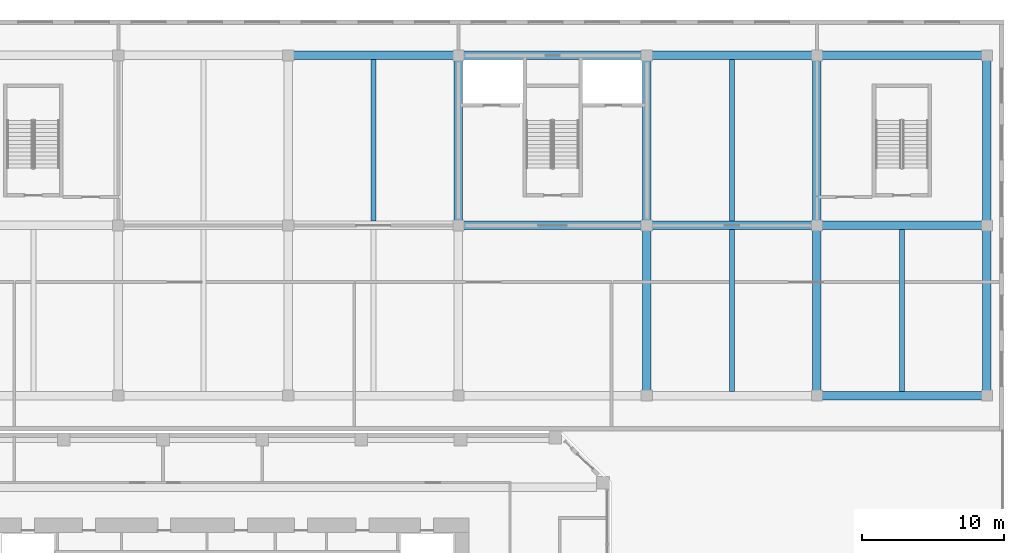
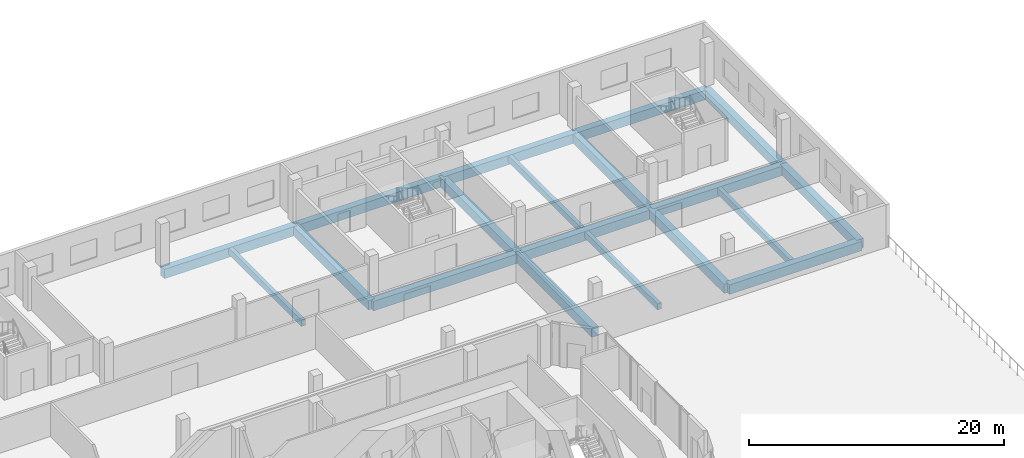
# One storey, part 10 of 38: 19 beams.
"""IFC4 building model written with IfcOpenShell, lengths in metres."""

from ifc_helpers import new_model, si_unit, direction, frame, origin, origin_2d, place, context, subcontext, project, spatial, rectangle, extrude, material, material_profile, profile_set, type_object, element, save


model = new_model("IFC4")

# Units and contexts
model_context = context("Model", 3, precision=1e-05, world=origin(), true_north=direction((0.0, 1.0)))
body_context = subcontext(model_context, "Body", "Model", "MODEL_VIEW")
ifc_project = project(units=[si_unit("LENGTHUNIT", "METRE"), si_unit("AREAUNIT", "SQUARE_METRE"), si_unit("VOLUMEUNIT", "CUBIC_METRE"), si_unit("PLANEANGLEUNIT", "RADIAN"), si_unit("MASSUNIT", "GRAM", prefix="KILO")], contexts=[model_context])

# Site, building, storey
site_placement = place(None, origin())
site = spatial("IfcSite", under=ifc_project, at=site_placement, CompositionType="ELEMENT")
building_placement = place(site_placement, origin())
building = spatial("IfcBuilding", under=site, at=building_placement, Name="Kilnfold Tower and Market Hall", CompositionType="ELEMENT")
storey_placement = place(building_placement, frame((0.0, 0.0, 9.0)))
storey = spatial("IfcBuildingStorey", under=building, at=storey_placement, Name="L01", CompositionType="ELEMENT", Elevation=9.0)

# Beams
ifc_material_1 = material(Name="Concrete C40/50", Category="concrete")
ifc_material_profile_1 = material_profile(ifc_material_1, rectangle(XDim=0.60009765625, YDim=0.89990234375, at=origin_2d()), Name="RC 600x900")
ifc_profile_set_1 = profile_set([ifc_material_profile_1], Name="Concrete C40/50")
beam_type_1 = type_object("IfcBeamType", Name="HALL GIRDER 600X900", PredefinedType="BEAM", material=ifc_profile_set_1)
for number, where, z_axis, x_axis, name in (
    (1, (5.35009765625, 54.64990234375, -0.85009765625), (1.0, 0.0, 0.0), (0.0, 1.0, 0.0), "Beam MG1.60"),
    (2, (17.35009765625, 42.64990234375, -0.85009765625), (0.0, 1.0, 0.0), (-1.0, 0.0, 0.0), "Beam MG1.63"),
):
    element("IfcBeam", number, at=place(storey_placement, frame(where, z_axis=z_axis, x_axis=x_axis)), inside=storey, type_object=beam_type_1, Name=name, PredefinedType="BEAM", context=body_context, shape_type="SweptSolid", body=[
        extrude(rectangle(XDim=0.60009765625, YDim=0.89990234375, at=origin_2d()), origin(), (0.0, 0.0, 1.0), 12.0),
    ])
for number, where, z_axis, x_axis, name in (
    (3, (17.35009765625, 42.64990234375, -0.85009765625), (1.0, 0.0, 0.0), (0.0, 1.0, 0.0), "Beam MG1.64"),
    (4, (17.35009765625, 54.64990234375, -0.85009765625), (1.0, 0.0, 0.0), (0.0, 1.0, 0.0), "Beam MG1.65"),
):
    element("IfcBeam", number, at=place(storey_placement, frame(where, z_axis=z_axis, x_axis=x_axis)), inside=storey, type_object=beam_type_1, Name=name, PredefinedType="BEAM", context=body_context, shape_type="SweptSolid", body=[
        extrude(rectangle(XDim=0.60009765625, YDim=0.89990234375, at=origin_2d()), origin(), (0.0, 0.0, 1.0), 13.2998046875),
    ])
for number, where, z_axis, x_axis, name in (
    (5, (30.64990234375, 30.64990234375, -0.85009765625), (0.0, 1.0, 0.0), (-1.0, 0.0, 0.0), "Beam MG1.66"),
    (6, (30.64990234375, 42.64990234375, -0.85009765625), (0.0, 1.0, 0.0), (-1.0, 0.0, 0.0), "Beam MG1.68"),
    (7, (30.64990234375, 42.64990234375, -0.85009765625), (1.0, 0.0, 0.0), (0.0, 1.0, 0.0), "Beam MG1.69"),
    (8, (30.64990234375, 54.64990234375, -0.85009765625), (1.0, 0.0, 0.0), (0.0, 1.0, 0.0), "Beam MG1.70"),
    (9, (42.64990234375, 30.64990234375, -0.85009765625), (0.0, 1.0, 0.0), (-1.0, 0.0, 0.0), "Beam MG1.71"),
    (10, (42.64990234375, 30.64990234375, -0.85009765625), (1.0, 0.0, 0.0), (0.0, 1.0, 0.0), "Beam MG1.72"),
    (11, (42.64990234375, 42.64990234375, -0.85009765625), (0.0, 1.0, 0.0), (-1.0, 0.0, 0.0), "Beam MG1.73"),
    (12, (42.64990234375, 42.64990234375, -0.85009765625), (1.0, 0.0, 0.0), (0.0, 1.0, 0.0), "Beam MG1.74"),
    (13, (42.64990234375, 54.64990234375, -0.85009765625), (1.0, 0.0, 0.0), (0.0, 1.0, 0.0), "Beam MG1.75"),
    (14, (54.64990234375, 30.64990234375, -0.85009765625), (0.0, 1.0, 0.0), (-1.0, 0.0, 0.0), "Beam MG1.76"),
    (15, (54.64990234375, 42.64990234375, -0.85009765625), (0.0, 1.0, 0.0), (-1.0, 0.0, 0.0), "Beam MG1.77"),
):
    element("IfcBeam", number, at=place(storey_placement, frame(where, z_axis=z_axis, x_axis=x_axis)), inside=storey, type_object=beam_type_1, Name=name, PredefinedType="BEAM", context=body_context, shape_type="SweptSolid", body=[
        extrude(rectangle(XDim=0.60009765625, YDim=0.89990234375, at=origin_2d()), origin(), (0.0, 0.0, 1.0), 12.0),
    ])
ifc_material_2 = material(Name="Concrete C40/50", Category="concrete")
ifc_material_profile_2 = material_profile(ifc_material_2, rectangle(XDim=0.35009765625, YDim=0.60009765625, at=origin_2d()), Name="RC 350x600")
ifc_profile_set_2 = profile_set([ifc_material_profile_2], Name="Concrete C40/50")
beam_type_2 = type_object("IfcBeamType", Name="HALL JOIST 350X600", PredefinedType="BEAM", material=ifc_profile_set_2)
for number, where, z_axis, x_axis, name in (
    (16, (11.35009765625, 42.949951171875, -0.699951171875), (0.0, 1.0, 0.0), (-1.0, 0.0, 0.0), "Beam MJ1.17"),
    (17, (36.64990234375, 30.949951171875, -0.699951171875), (0.0, 1.0, 0.0), (-1.0, 0.0, 0.0), "Beam MJ1.18"),
    (18, (36.64990234375, 42.949951171875, -0.699951171875), (0.0, 1.0, 0.0), (-1.0, 0.0, 0.0), "Beam MJ1.19"),
    (19, (48.64990234375, 30.949951171875, -0.699951171875), (0.0, 1.0, 0.0), (-1.0, 0.0, 0.0), "Beam MJ1.20"),
):
    element("IfcBeam", number, at=place(storey_placement, frame(where, z_axis=z_axis, x_axis=x_axis)), inside=storey, type_object=beam_type_2, Name=name, PredefinedType="BEAM", context=body_context, shape_type="SweptSolid", body=[
        extrude(rectangle(XDim=0.35009765625, YDim=0.60009765625, at=origin_2d()), origin(), (0.0, 0.0, 1.0), 11.400146484375),
    ])

save(model, "model.ifc")
